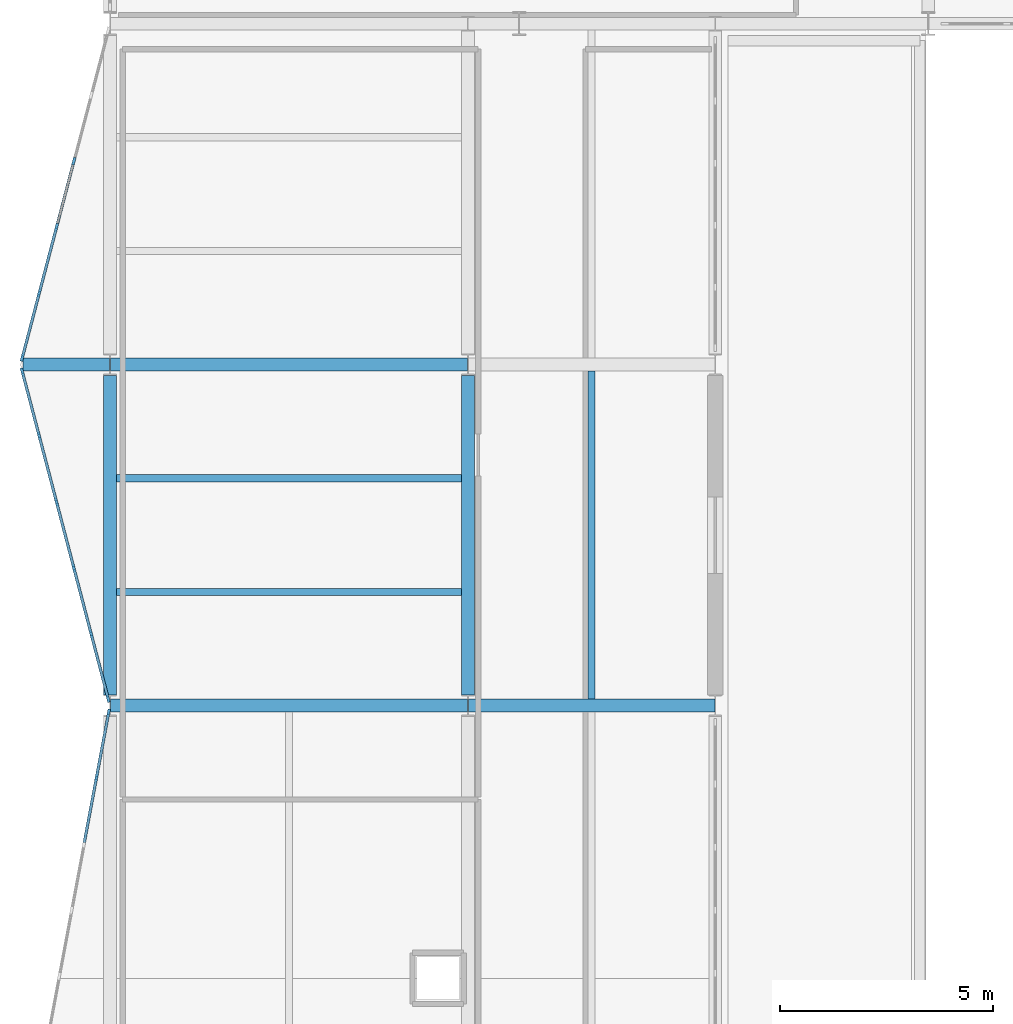
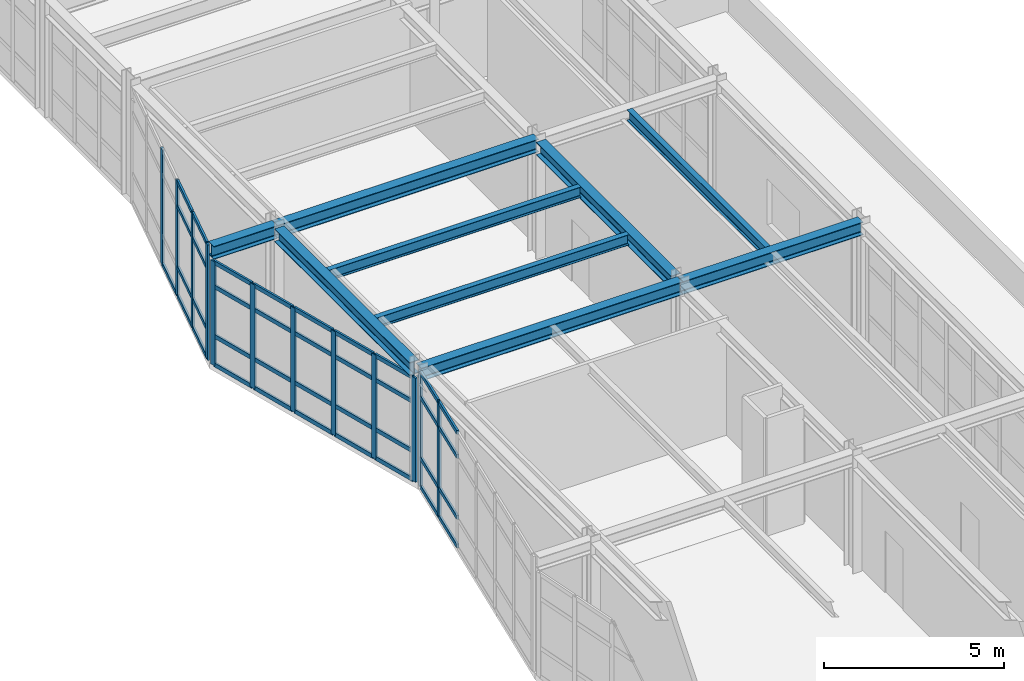
# One storey, part 20 of 64: 49 members, 9 beams, 3 elements without a shape of their own.
"""IFC4 building model written with IfcOpenShell, lengths in metres."""

from ifc_helpers import new_model, si_unit, direction, frame, origin, origin_2d, place, context, subcontext, project, spatial, rectangle, i_section, extrude, material, layer, layer_set, material_profile, profile_set, type_object, element, aggregate, save


model = new_model("IFC4")

# Units and contexts
model_context = context("Model", 3, precision=1e-05, world=origin(), true_north=direction((0.0, 1.0)))
body_context = subcontext(model_context, "Body", "Model", "MODEL_VIEW")
ifc_project = project(units=[si_unit("LENGTHUNIT", "METRE"), si_unit("AREAUNIT", "SQUARE_METRE"), si_unit("VOLUMEUNIT", "CUBIC_METRE"), si_unit("PLANEANGLEUNIT", "RADIAN"), si_unit("MASSUNIT", "GRAM", prefix="KILO")], contexts=[model_context])

# Site, building, storey
site_placement = place(None, origin())
site = spatial("IfcSite", under=ifc_project, at=site_placement, CompositionType="ELEMENT")
building_placement = place(site_placement, origin())
building = spatial("IfcBuilding", under=site, at=building_placement, Name="Nordkorset Police Headquarters", CompositionType="ELEMENT")
storey_placement = place(building_placement, frame((0.0, 0.0, 17.85009765625)))
storey = spatial("IfcBuildingStorey", under=building, at=storey_placement, Name="L04", CompositionType="ELEMENT", Elevation=17.85009765625)

# Beams
ifc_material_1 = material(Name="Steel S355J2", Category="steel")
ifc_material_profile_1 = material_profile(ifc_material_1, i_section(OverallWidth=0.169921875, OverallDepth=0.360107421875, WebThickness=0.008056640625, FlangeThickness=0.0126953125, FilletRadius=0.01806640625, at=origin_2d()), Name="IPE 360")
ifc_profile_set_1 = profile_set([ifc_material_profile_1], Name="Steel S355J2")
beam_type_1 = type_object("IfcBeamType", Name="Beam_IPE_360", PredefinedType="BEAM", material=ifc_profile_set_1)
for number, where, z_axis, x_axis, name in (
    (1, (0.14990234375, 69.86669921875, 3.809814453125), (1.0, 0.0, 0.0), (0.0, 1.0, 0.0), "Composite Floor Beam V3 L04 0-4-1"),
    (2, (0.14990234375, 72.533447265625, 3.809814453125), (1.0, 0.0, 0.0), (0.0, 1.0, 0.0), "Composite Floor Beam V3 L04 0-4-2"),
):
    element("IfcBeam", number, at=place(storey_placement, frame(where, z_axis=z_axis, x_axis=x_axis)), inside=storey, type_object=beam_type_1, Name=name, PredefinedType="BEAM", context=body_context, shape_type="SweptSolid", body=[
        extrude(i_section(OverallWidth=0.169921875, OverallDepth=0.360107421875, WebThickness=0.008056640625, FlangeThickness=0.0126953125, FilletRadius=0.01806640625, at=origin_2d()), origin(), (0.0, 0.0, 1.0), 8.10009765625),
    ])
beam_1_placement = place(storey_placement, frame((11.300048828125, 67.35009765625, 3.809814453125), z_axis=(0.0, 1.0, 0.0), x_axis=(-1.0, 0.0, 0.0)))
element("IfcBeam", 3, at=beam_1_placement, inside=storey, type_object=beam_type_1, Name="Composite Floor Beam V3 L04 1-4-1", PredefinedType="BEAM", context=body_context, shape_type="SweptSolid", body=[
    extrude(i_section(OverallWidth=0.169921875, OverallDepth=0.360107421875, WebThickness=0.008056640625, FlangeThickness=0.0126953125, FilletRadius=0.01806640625, at=origin_2d()), origin(), (0.0, 0.0, 1.0), 7.699951171875),
])

# Curtain wall, members
ifc_material_2 = material(Name="Aluminium alloy AW-6060", Category="aluminium")
ifc_layer_1 = layer(ifc_material_2, 0.179931640625, Name="Aluminium alloy AW-6060")
ifc_layer_set_1 = layer_set([ifc_layer_1], Name="Aluminium alloy AW-6060")
curtain_wall_type_1 = type_object("IfcCurtainWallType", Name="CW_Unit_949x392", PredefinedType="USERDEFINED", material=ifc_layer_set_1)
curtain_wall_1_placement = place(storey_placement, origin())
curtain_wall_1 = element("IfcCurtainWall", 4, at=curtain_wall_1_placement, inside=storey, type_object=curtain_wall_type_1, Name="Unitised Curtain Wall L04 V3W-3", ObjectType="UNITISED CURTAIN WALL", PredefinedType="USERDEFINED")
ifc_material_3 = material(Name="Aluminium alloy AW-6060", Category="aluminium")
ifc_material_profile_2 = material_profile(ifc_material_3, rectangle(XDim=0.06494140625, YDim=0.179931640625, at=origin_2d()), Name="ALU MULL 65x180")
ifc_profile_set_2 = profile_set([ifc_material_profile_2], Name="Aluminium alloy AW-6060")
member_type_1 = type_object("IfcMemberType", Name="CW_Mullion_65x180", PredefinedType="MULLION", material=ifc_profile_set_2)
member_1_placement = place(storey_placement, frame((-0.317138671875, 65.50830078125, 0.0), z_axis=(0.0, 0.0, 1.0), x_axis=(-0.982872186935, 0.184288535048, 0.0)))
member_1 = element("IfcMember", 5, at=member_1_placement, type_object=member_type_1, Name="CW-49 mullion 6", PredefinedType="MULLION", context=body_context, shape_type="SweptSolid", body=[
    extrude(rectangle(XDim=0.06494140625, YDim=0.179931640625, at=origin_2d()), origin(), (0.0, 0.0, 1.0), 3.919921875),
])
member_2_placement = place(storey_placement, frame((-0.03173828125, 67.030517578125, 0.0), z_axis=(0.0, 0.0, 1.0), x_axis=(-0.982872186935, 0.184288535048, 0.0)))
member_2 = element("IfcMember", 6, at=member_2_placement, type_object=member_type_1, Name="CW-49 mullion 7", PredefinedType="MULLION", context=body_context, shape_type="SweptSolid", body=[
    extrude(rectangle(XDim=0.06494140625, YDim=0.179931640625, at=origin_2d()), origin(), (0.0, 0.0, 1.0), 3.919921875),
])

ifc_material_4 = material(Name="Aluminium alloy AW-6060", Category="aluminium")
ifc_layer_2 = layer(ifc_material_4, 0.179931640625, Name="Aluminium alloy AW-6060")
ifc_layer_set_2 = layer_set([ifc_layer_2], Name="Aluminium alloy AW-6060")
curtain_wall_type_2 = type_object("IfcCurtainWallType", Name="CW_Unit_799x353", PredefinedType="USERDEFINED", material=ifc_layer_set_2)
curtain_wall_2_placement = place(storey_placement, origin())
curtain_wall_2 = element("IfcCurtainWall", 7, at=curtain_wall_2_placement, inside=storey, type_object=curtain_wall_type_2, Name="Unitised Curtain Wall L04 V3W-4", ObjectType="UNITISED CURTAIN WALL", PredefinedType="USERDEFINED")
member_3_placement = place(storey_placement, frame((-0.043701171875, 67.366943359375, 0.0), z_axis=(0.0, 0.0, 1.0), x_axis=(-0.967231265013, -0.25389698695, 0.0)))
member_3 = element("IfcMember", 8, at=member_3_placement, type_object=member_type_1, Name="CW-108 mullion 1", PredefinedType="MULLION", context=body_context, shape_type="SweptSolid", body=[
    extrude(rectangle(XDim=0.06494140625, YDim=0.179931640625, at=origin_2d()), origin(), (0.0, 0.0, 1.0), 3.52978515625),
])
member_4_placement = place(storey_placement, frame((-0.44140625, 68.88134765625, 0.0), z_axis=(0.0, 0.0, 1.0), x_axis=(-0.967231265013, -0.25389698695, 0.0)))
member_4 = element("IfcMember", 9, at=member_4_placement, type_object=member_type_1, Name="CW-108 mullion 2", PredefinedType="MULLION", context=body_context, shape_type="SweptSolid", body=[
    extrude(rectangle(XDim=0.06494140625, YDim=0.179931640625, at=origin_2d()), origin(), (0.0, 0.0, 1.0), 3.52978515625),
])
member_5_placement = place(storey_placement, frame((-0.84716796875, 70.427001953125, 0.0), z_axis=(0.0, 0.0, 1.0), x_axis=(-0.967231265013, -0.25389698695, 0.0)))
member_5 = element("IfcMember", 10, at=member_5_placement, type_object=member_type_1, Name="CW-108 mullion 3", PredefinedType="MULLION", context=body_context, shape_type="SweptSolid", body=[
    extrude(rectangle(XDim=0.06494140625, YDim=0.179931640625, at=origin_2d()), origin(), (0.0, 0.0, 1.0), 3.52978515625),
])
member_6_placement = place(storey_placement, frame((-1.2529296875, 71.972900390625, 0.0), z_axis=(0.0, 0.0, 1.0), x_axis=(-0.967231265013, -0.25389698695, 0.0)))
member_6 = element("IfcMember", 11, at=member_6_placement, type_object=member_type_1, Name="CW-108 mullion 4", PredefinedType="MULLION", context=body_context, shape_type="SweptSolid", body=[
    extrude(rectangle(XDim=0.06494140625, YDim=0.179931640625, at=origin_2d()), origin(), (0.0, 0.0, 1.0), 3.52978515625),
])
member_7_placement = place(storey_placement, frame((-1.65869140625, 73.518798828125, 0.0), z_axis=(0.0, 0.0, 1.0), x_axis=(-0.967231265013, -0.25389698695, 0.0)))
member_7 = element("IfcMember", 12, at=member_7_placement, type_object=member_type_1, Name="CW-108 mullion 5", PredefinedType="MULLION", context=body_context, shape_type="SweptSolid", body=[
    extrude(rectangle(XDim=0.06494140625, YDim=0.179931640625, at=origin_2d()), origin(), (0.0, 0.0, 1.0), 3.52978515625),
])
member_8_placement = place(storey_placement, frame((-2.05615234375, 75.033203125, 0.0), z_axis=(0.0, 0.0, 1.0), x_axis=(-0.967231265013, -0.25389698695, 0.0)))
member_8 = element("IfcMember", 13, at=member_8_placement, type_object=member_type_1, Name="CW-108 mullion 6", PredefinedType="MULLION", context=body_context, shape_type="SweptSolid", body=[
    extrude(rectangle(XDim=0.06494140625, YDim=0.179931640625, at=origin_2d()), origin(), (0.0, 0.0, 1.0), 3.52978515625),
])

ifc_material_5 = material(Name="Aluminium alloy AW-6060", Category="aluminium")
ifc_layer_3 = layer(ifc_material_5, 0.179931640625, Name="Aluminium alloy AW-6060")
ifc_layer_set_3 = layer_set([ifc_layer_3], Name="Aluminium alloy AW-6060")
curtain_wall_type_3 = type_object("IfcCurtainWallType", Name="CW_Unit_799x392", PredefinedType="USERDEFINED", material=ifc_layer_set_3)
curtain_wall_3_placement = place(storey_placement, origin())
curtain_wall_3 = element("IfcCurtainWall", 14, at=curtain_wall_3_placement, inside=storey, type_object=curtain_wall_type_3, Name="Unitised Curtain Wall L04 V3W-5", ObjectType="UNITISED CURTAIN WALL", PredefinedType="USERDEFINED")
member_9_placement = place(storey_placement, frame((-2.05615234375, 75.366943359375, 0.0), z_axis=(0.0, 0.0, 1.0), x_axis=(-0.967231265013, 0.25389698695, 0.0)))
member_9 = element("IfcMember", 15, at=member_9_placement, type_object=member_type_1, Name="CW-68 mullion 1", PredefinedType="MULLION", context=body_context, shape_type="SweptSolid", body=[
    extrude(rectangle(XDim=0.06494140625, YDim=0.179931640625, at=origin_2d()), origin(), (0.0, 0.0, 1.0), 3.919921875),
])
member_10_placement = place(storey_placement, frame((-1.65869140625, 76.88134765625, 0.0), z_axis=(0.0, 0.0, 1.0), x_axis=(-0.967231265013, 0.25389698695, 0.0)))
member_10 = element("IfcMember", 16, at=member_10_placement, type_object=member_type_1, Name="CW-68 mullion 2", PredefinedType="MULLION", context=body_context, shape_type="SweptSolid", body=[
    extrude(rectangle(XDim=0.06494140625, YDim=0.179931640625, at=origin_2d()), origin(), (0.0, 0.0, 1.0), 3.919921875),
])
member_11_placement = place(storey_placement, frame((-1.2529296875, 78.427001953125, 0.0), z_axis=(0.0, 0.0, 1.0), x_axis=(-0.967231265013, 0.25389698695, 0.0)))
member_11 = element("IfcMember", 17, at=member_11_placement, type_object=member_type_1, Name="CW-68 mullion 3", PredefinedType="MULLION", context=body_context, shape_type="SweptSolid", body=[
    extrude(rectangle(XDim=0.06494140625, YDim=0.179931640625, at=origin_2d()), origin(), (0.0, 0.0, 1.0), 3.919921875),
])
member_12_placement = place(storey_placement, frame((-0.84716796875, 79.972900390625, 0.0), z_axis=(0.0, 0.0, 1.0), x_axis=(-0.967231265013, 0.25389698695, 0.0)))
member_12 = element("IfcMember", 18, at=member_12_placement, type_object=member_type_1, Name="CW-68 mullion 4", PredefinedType="MULLION", context=body_context, shape_type="SweptSolid", body=[
    extrude(rectangle(XDim=0.06494140625, YDim=0.179931640625, at=origin_2d()), origin(), (0.0, 0.0, 1.0), 3.919921875),
])

# Member
ifc_material_6 = material(Name="Aluminium alloy AW-6060", Category="aluminium")
ifc_material_profile_3 = material_profile(ifc_material_6, rectangle(XDim=0.06494140625, YDim=0.139892578125, at=origin_2d()), Name="ALU TRAN 65x140")
ifc_profile_set_3 = profile_set([ifc_material_profile_3], Name="Aluminium alloy AW-6060")
member_type_2 = type_object("IfcMemberType", Name="CW_Transom_65x140", PredefinedType="USERDEFINED", material=ifc_profile_set_3)
member_13_placement = place(storey_placement, frame((-0.6025390625, 63.986083984375, 0.032470703125), z_axis=(0.184210757138, 0.982886767107, 0.0), x_axis=(-0.982886767107, 0.184210757138, 0.0)))
member_13 = element("IfcMember", 19, at=member_13_placement, type_object=member_type_2, Name="CW-49 transom 5.1", ObjectType="TRANSOM", PredefinedType="USERDEFINED", context=body_context, shape_type="SweptSolid", body=[
    extrude(rectangle(XDim=0.06494140625, YDim=0.139892578125, at=origin_2d()), origin(), (0.0, 0.0, 1.0), 1.51611328125),
])

member_14_placement = place(storey_placement, frame((-0.6025390625, 63.986083984375, 1.0), z_axis=(0.184210757138, 0.982886767107, 0.0), x_axis=(-0.982886767107, 0.184210757138, 0.0)))
member_14 = element("IfcMember", 20, at=member_14_placement, type_object=member_type_2, Name="CW-49 transom 5.2", ObjectType="TRANSOM", PredefinedType="USERDEFINED", context=body_context, shape_type="SweptSolid", body=[
    extrude(rectangle(XDim=0.06494140625, YDim=0.139892578125, at=origin_2d()), origin(), (0.0, 0.0, 1.0), 1.51611328125),
])

member_15_placement = place(storey_placement, frame((-0.6025390625, 63.986083984375, 3.06982421875), z_axis=(0.184210757138, 0.982886767107, 0.0), x_axis=(-0.982886767107, 0.184210757138, 0.0)))
member_15 = element("IfcMember", 21, at=member_15_placement, type_object=member_type_2, Name="CW-49 transom 5.3", ObjectType="TRANSOM", PredefinedType="USERDEFINED", context=body_context, shape_type="SweptSolid", body=[
    extrude(rectangle(XDim=0.06494140625, YDim=0.139892578125, at=origin_2d()), origin(), (0.0, 0.0, 1.0), 1.51611328125),
])

member_16_placement = place(storey_placement, frame((-0.6025390625, 63.986083984375, 3.887451171875), z_axis=(0.184210757138, 0.982886767107, 0.0), x_axis=(-0.982886767107, 0.184210757138, 0.0)))
member_16 = element("IfcMember", 22, at=member_16_placement, type_object=member_type_2, Name="CW-49 transom 5.4", ObjectType="TRANSOM", PredefinedType="USERDEFINED", context=body_context, shape_type="SweptSolid", body=[
    extrude(rectangle(XDim=0.06494140625, YDim=0.139892578125, at=origin_2d()), origin(), (0.0, 0.0, 1.0), 1.51611328125),
])

member_17_placement = place(storey_placement, frame((-0.311279296875, 65.540283203125, 0.032470703125), z_axis=(0.184298470268, 0.982870324029, 0.0), x_axis=(-0.982870324029, 0.184298470268, 0.0)))
member_17 = element("IfcMember", 23, at=member_17_placement, type_object=member_type_2, Name="CW-49 transom 6.1", ObjectType="TRANSOM", PredefinedType="USERDEFINED", context=body_context, shape_type="SweptSolid", body=[
    extrude(rectangle(XDim=0.06494140625, YDim=0.139892578125, at=origin_2d()), origin(), (0.0, 0.0, 1.0), 1.483642578125),
])

member_18_placement = place(storey_placement, frame((-0.311279296875, 65.540283203125, 1.0), z_axis=(0.184298470268, 0.982870324029, 0.0), x_axis=(-0.982870324029, 0.184298470268, 0.0)))
member_18 = element("IfcMember", 24, at=member_18_placement, type_object=member_type_2, Name="CW-49 transom 6.2", ObjectType="TRANSOM", PredefinedType="USERDEFINED", context=body_context, shape_type="SweptSolid", body=[
    extrude(rectangle(XDim=0.06494140625, YDim=0.139892578125, at=origin_2d()), origin(), (0.0, 0.0, 1.0), 1.483642578125),
])

member_19_placement = place(storey_placement, frame((-0.311279296875, 65.540283203125, 3.06982421875), z_axis=(0.184298470268, 0.982870324029, 0.0), x_axis=(-0.982870324029, 0.184298470268, 0.0)))
member_19 = element("IfcMember", 25, at=member_19_placement, type_object=member_type_2, Name="CW-49 transom 6.3", ObjectType="TRANSOM", PredefinedType="USERDEFINED", context=body_context, shape_type="SweptSolid", body=[
    extrude(rectangle(XDim=0.06494140625, YDim=0.139892578125, at=origin_2d()), origin(), (0.0, 0.0, 1.0), 1.483642578125),
])

member_20_placement = place(storey_placement, frame((-0.311279296875, 65.540283203125, 3.887451171875), z_axis=(0.184298470268, 0.982870324029, 0.0), x_axis=(-0.982870324029, 0.184298470268, 0.0)))
member_20 = element("IfcMember", 26, at=member_20_placement, type_object=member_type_2, Name="CW-49 transom 6.4", ObjectType="TRANSOM", PredefinedType="USERDEFINED", context=body_context, shape_type="SweptSolid", body=[
    extrude(rectangle(XDim=0.06494140625, YDim=0.139892578125, at=origin_2d()), origin(), (0.0, 0.0, 1.0), 1.483642578125),
])

aggregate(curtain_wall_1, [member_1, member_2, member_13, member_14, member_15, member_16, member_17, member_18, member_19, member_20])

member_21_placement = place(storey_placement, frame((-0.052001953125, 67.398193359375, 0.032470703125), z_axis=(-0.253924760119, 0.967223974164, 0.0), x_axis=(-0.967223974164, -0.253924760119, 0.0)))
member_21 = element("IfcMember", 27, at=member_21_placement, type_object=member_type_2, Name="CW-108 transom 1.1", ObjectType="TRANSOM", PredefinedType="USERDEFINED", context=body_context, shape_type="SweptSolid", body=[
    extrude(rectangle(XDim=0.06494140625, YDim=0.139892578125, at=origin_2d()), origin(), (0.0, 0.0, 1.0), 1.500732421875),
])

member_22_placement = place(storey_placement, frame((-0.052001953125, 67.398193359375, 1.0), z_axis=(-0.253924760119, 0.967223974164, 0.0), x_axis=(-0.967223974164, -0.253924760119, 0.0)))
member_22 = element("IfcMember", 28, at=member_22_placement, type_object=member_type_2, Name="CW-108 transom 1.2", ObjectType="TRANSOM", PredefinedType="USERDEFINED", context=body_context, shape_type="SweptSolid", body=[
    extrude(rectangle(XDim=0.06494140625, YDim=0.139892578125, at=origin_2d()), origin(), (0.0, 0.0, 1.0), 1.500732421875),
])

member_23_placement = place(storey_placement, frame((-0.052001953125, 67.398193359375, 2.679931640625), z_axis=(-0.253924760119, 0.967223974164, 0.0), x_axis=(-0.967223974164, -0.253924760119, 0.0)))
member_23 = element("IfcMember", 29, at=member_23_placement, type_object=member_type_2, Name="CW-108 transom 1.3", ObjectType="TRANSOM", PredefinedType="USERDEFINED", context=body_context, shape_type="SweptSolid", body=[
    extrude(rectangle(XDim=0.06494140625, YDim=0.139892578125, at=origin_2d()), origin(), (0.0, 0.0, 1.0), 1.500732421875),
])

member_24_placement = place(storey_placement, frame((-0.052001953125, 67.398193359375, 3.497314453125), z_axis=(-0.253924760119, 0.967223974164, 0.0), x_axis=(-0.967223974164, -0.253924760119, 0.0)))
member_24 = element("IfcMember", 30, at=member_24_placement, type_object=member_type_2, Name="CW-108 transom 1.4", ObjectType="TRANSOM", PredefinedType="USERDEFINED", context=body_context, shape_type="SweptSolid", body=[
    extrude(rectangle(XDim=0.06494140625, YDim=0.139892578125, at=origin_2d()), origin(), (0.0, 0.0, 1.0), 1.500732421875),
])

member_25_placement = place(storey_placement, frame((-0.449462890625, 68.91259765625, 0.032470703125), z_axis=(-0.253944674811, 0.967218745753, 0.0), x_axis=(-0.967218745753, -0.253944674811, 0.0)))
member_25 = element("IfcMember", 31, at=member_25_placement, type_object=member_type_2, Name="CW-108 transom 2.1", ObjectType="TRANSOM", PredefinedType="USERDEFINED", context=body_context, shape_type="SweptSolid", body=[
    extrude(rectangle(XDim=0.06494140625, YDim=0.139892578125, at=origin_2d()), origin(), (0.0, 0.0, 1.0), 1.533447265625),
])

member_26_placement = place(storey_placement, frame((-0.449462890625, 68.91259765625, 1.0), z_axis=(-0.253944674811, 0.967218745753, 0.0), x_axis=(-0.967218745753, -0.253944674811, 0.0)))
member_26 = element("IfcMember", 32, at=member_26_placement, type_object=member_type_2, Name="CW-108 transom 2.2", ObjectType="TRANSOM", PredefinedType="USERDEFINED", context=body_context, shape_type="SweptSolid", body=[
    extrude(rectangle(XDim=0.06494140625, YDim=0.139892578125, at=origin_2d()), origin(), (0.0, 0.0, 1.0), 1.533447265625),
])

member_27_placement = place(storey_placement, frame((-0.449462890625, 68.91259765625, 2.679931640625), z_axis=(-0.253944674811, 0.967218745753, 0.0), x_axis=(-0.967218745753, -0.253944674811, 0.0)))
member_27 = element("IfcMember", 33, at=member_27_placement, type_object=member_type_2, Name="CW-108 transom 2.3", ObjectType="TRANSOM", PredefinedType="USERDEFINED", context=body_context, shape_type="SweptSolid", body=[
    extrude(rectangle(XDim=0.06494140625, YDim=0.139892578125, at=origin_2d()), origin(), (0.0, 0.0, 1.0), 1.533447265625),
])

member_28_placement = place(storey_placement, frame((-0.449462890625, 68.91259765625, 3.497314453125), z_axis=(-0.253944674811, 0.967218745753, 0.0), x_axis=(-0.967218745753, -0.253944674811, 0.0)))
member_28 = element("IfcMember", 34, at=member_28_placement, type_object=member_type_2, Name="CW-108 transom 2.4", ObjectType="TRANSOM", PredefinedType="USERDEFINED", context=body_context, shape_type="SweptSolid", body=[
    extrude(rectangle(XDim=0.06494140625, YDim=0.139892578125, at=origin_2d()), origin(), (0.0, 0.0, 1.0), 1.533447265625),
])

member_29_placement = place(storey_placement, frame((-0.85546875, 70.45849609375, 0.032470703125), z_axis=(-0.253834812056, 0.967247583708, 0.0), x_axis=(-0.967247583708, -0.253834812056, 0.0)))
member_29 = element("IfcMember", 35, at=member_29_placement, type_object=member_type_2, Name="CW-108 transom 3.1", ObjectType="TRANSOM", PredefinedType="USERDEFINED", context=body_context, shape_type="SweptSolid", body=[
    extrude(rectangle(XDim=0.06494140625, YDim=0.139892578125, at=origin_2d()), origin(), (0.0, 0.0, 1.0), 1.533203125),
])

member_30_placement = place(storey_placement, frame((-0.85546875, 70.45849609375, 1.0), z_axis=(-0.253834812056, 0.967247583708, 0.0), x_axis=(-0.967247583708, -0.253834812056, 0.0)))
member_30 = element("IfcMember", 36, at=member_30_placement, type_object=member_type_2, Name="CW-108 transom 3.2", ObjectType="TRANSOM", PredefinedType="USERDEFINED", context=body_context, shape_type="SweptSolid", body=[
    extrude(rectangle(XDim=0.06494140625, YDim=0.139892578125, at=origin_2d()), origin(), (0.0, 0.0, 1.0), 1.533203125),
])

member_31_placement = place(storey_placement, frame((-0.85546875, 70.45849609375, 2.679931640625), z_axis=(-0.253834812056, 0.967247583708, 0.0), x_axis=(-0.967247583708, -0.253834812056, 0.0)))
member_31 = element("IfcMember", 37, at=member_31_placement, type_object=member_type_2, Name="CW-108 transom 3.3", ObjectType="TRANSOM", PredefinedType="USERDEFINED", context=body_context, shape_type="SweptSolid", body=[
    extrude(rectangle(XDim=0.06494140625, YDim=0.139892578125, at=origin_2d()), origin(), (0.0, 0.0, 1.0), 1.533203125),
])

member_32_placement = place(storey_placement, frame((-0.85546875, 70.45849609375, 3.497314453125), z_axis=(-0.253834812056, 0.967247583708, 0.0), x_axis=(-0.967247583708, -0.253834812056, 0.0)))
member_32 = element("IfcMember", 38, at=member_32_placement, type_object=member_type_2, Name="CW-108 transom 3.4", ObjectType="TRANSOM", PredefinedType="USERDEFINED", context=body_context, shape_type="SweptSolid", body=[
    extrude(rectangle(XDim=0.06494140625, YDim=0.139892578125, at=origin_2d()), origin(), (0.0, 0.0, 1.0), 1.533203125),
])

member_33_placement = place(storey_placement, frame((-1.26123046875, 72.00439453125, 0.032470703125), z_axis=(-0.253834812056, 0.967247583708, 0.0), x_axis=(-0.967247583708, -0.253834812056, 0.0)))
member_33 = element("IfcMember", 39, at=member_33_placement, type_object=member_type_2, Name="CW-108 transom 4.1", ObjectType="TRANSOM", PredefinedType="USERDEFINED", context=body_context, shape_type="SweptSolid", body=[
    extrude(rectangle(XDim=0.06494140625, YDim=0.139892578125, at=origin_2d()), origin(), (0.0, 0.0, 1.0), 1.533203125),
])

member_34_placement = place(storey_placement, frame((-1.26123046875, 72.00439453125, 1.0), z_axis=(-0.253834812056, 0.967247583708, 0.0), x_axis=(-0.967247583708, -0.253834812056, 0.0)))
member_34 = element("IfcMember", 40, at=member_34_placement, type_object=member_type_2, Name="CW-108 transom 4.2", ObjectType="TRANSOM", PredefinedType="USERDEFINED", context=body_context, shape_type="SweptSolid", body=[
    extrude(rectangle(XDim=0.06494140625, YDim=0.139892578125, at=origin_2d()), origin(), (0.0, 0.0, 1.0), 1.533203125),
])

member_35_placement = place(storey_placement, frame((-1.26123046875, 72.00439453125, 2.679931640625), z_axis=(-0.253834812056, 0.967247583708, 0.0), x_axis=(-0.967247583708, -0.253834812056, 0.0)))
member_35 = element("IfcMember", 41, at=member_35_placement, type_object=member_type_2, Name="CW-108 transom 4.3", ObjectType="TRANSOM", PredefinedType="USERDEFINED", context=body_context, shape_type="SweptSolid", body=[
    extrude(rectangle(XDim=0.06494140625, YDim=0.139892578125, at=origin_2d()), origin(), (0.0, 0.0, 1.0), 1.533203125),
])

member_36_placement = place(storey_placement, frame((-1.26123046875, 72.00439453125, 3.497314453125), z_axis=(-0.253834812056, 0.967247583708, 0.0), x_axis=(-0.967247583708, -0.253834812056, 0.0)))
member_36 = element("IfcMember", 42, at=member_36_placement, type_object=member_type_2, Name="CW-108 transom 4.4", ObjectType="TRANSOM", PredefinedType="USERDEFINED", context=body_context, shape_type="SweptSolid", body=[
    extrude(rectangle(XDim=0.06494140625, YDim=0.139892578125, at=origin_2d()), origin(), (0.0, 0.0, 1.0), 1.533203125),
])

member_37_placement = place(storey_placement, frame((-1.6669921875, 73.55029296875, 0.032470703125), z_axis=(-0.253812508184, 0.967253436639, 0.0), x_axis=(-0.967253436639, -0.253812508184, 0.0)))
member_37 = element("IfcMember", 43, at=member_37_placement, type_object=member_type_2, Name="CW-108 transom 5.1", ObjectType="TRANSOM", PredefinedType="USERDEFINED", context=body_context, shape_type="SweptSolid", body=[
    extrude(rectangle(XDim=0.06494140625, YDim=0.139892578125, at=origin_2d()), origin(), (0.0, 0.0, 1.0), 1.50048828125),
])

member_38_placement = place(storey_placement, frame((-1.6669921875, 73.55029296875, 1.0), z_axis=(-0.253812508184, 0.967253436639, 0.0), x_axis=(-0.967253436639, -0.253812508184, 0.0)))
member_38 = element("IfcMember", 44, at=member_38_placement, type_object=member_type_2, Name="CW-108 transom 5.2", ObjectType="TRANSOM", PredefinedType="USERDEFINED", context=body_context, shape_type="SweptSolid", body=[
    extrude(rectangle(XDim=0.06494140625, YDim=0.139892578125, at=origin_2d()), origin(), (0.0, 0.0, 1.0), 1.50048828125),
])

member_39_placement = place(storey_placement, frame((-1.6669921875, 73.55029296875, 2.679931640625), z_axis=(-0.253812508184, 0.967253436639, 0.0), x_axis=(-0.967253436639, -0.253812508184, 0.0)))
member_39 = element("IfcMember", 45, at=member_39_placement, type_object=member_type_2, Name="CW-108 transom 5.3", ObjectType="TRANSOM", PredefinedType="USERDEFINED", context=body_context, shape_type="SweptSolid", body=[
    extrude(rectangle(XDim=0.06494140625, YDim=0.139892578125, at=origin_2d()), origin(), (0.0, 0.0, 1.0), 1.50048828125),
])

member_40_placement = place(storey_placement, frame((-1.6669921875, 73.55029296875, 3.497314453125), z_axis=(-0.253812508184, 0.967253436639, 0.0), x_axis=(-0.967253436639, -0.253812508184, 0.0)))
member_40 = element("IfcMember", 46, at=member_40_placement, type_object=member_type_2, Name="CW-108 transom 5.4", ObjectType="TRANSOM", PredefinedType="USERDEFINED", context=body_context, shape_type="SweptSolid", body=[
    extrude(rectangle(XDim=0.06494140625, YDim=0.139892578125, at=origin_2d()), origin(), (0.0, 0.0, 1.0), 1.50048828125),
])

aggregate(curtain_wall_2, [member_3, member_4, member_5, member_6, member_7, member_8, member_21, member_22, member_23, member_24, member_25, member_26, member_27, member_28, member_29, member_30, member_31, member_32, member_33, member_34, member_35, member_36, member_37, member_38, member_39, member_40])

member_41_placement = place(storey_placement, frame((-2.0478515625, 75.398193359375, 0.032470703125), z_axis=(0.253772571157, 0.967263915448, 0.0), x_axis=(-0.967263915448, 0.253772571157, 0.0)))
member_41 = element("IfcMember", 47, at=member_41_placement, type_object=member_type_2, Name="CW-68 transom 1.1", ObjectType="TRANSOM", PredefinedType="USERDEFINED", context=body_context, shape_type="SweptSolid", body=[
    extrude(rectangle(XDim=0.06494140625, YDim=0.139892578125, at=origin_2d()), origin(), (0.0, 0.0, 1.0), 1.500732421875),
])

member_42_placement = place(storey_placement, frame((-2.0478515625, 75.398193359375, 1.0), z_axis=(0.253772571157, 0.967263915448, 0.0), x_axis=(-0.967263915448, 0.253772571157, 0.0)))
member_42 = element("IfcMember", 48, at=member_42_placement, type_object=member_type_2, Name="CW-68 transom 1.2", ObjectType="TRANSOM", PredefinedType="USERDEFINED", context=body_context, shape_type="SweptSolid", body=[
    extrude(rectangle(XDim=0.06494140625, YDim=0.139892578125, at=origin_2d()), origin(), (0.0, 0.0, 1.0), 1.500732421875),
])

member_43_placement = place(storey_placement, frame((-2.0478515625, 75.398193359375, 3.06982421875), z_axis=(0.253772571157, 0.967263915448, 0.0), x_axis=(-0.967263915448, 0.253772571157, 0.0)))
member_43 = element("IfcMember", 49, at=member_43_placement, type_object=member_type_2, Name="CW-68 transom 1.3", ObjectType="TRANSOM", PredefinedType="USERDEFINED", context=body_context, shape_type="SweptSolid", body=[
    extrude(rectangle(XDim=0.06494140625, YDim=0.139892578125, at=origin_2d()), origin(), (0.0, 0.0, 1.0), 1.500732421875),
])

member_44_placement = place(storey_placement, frame((-2.0478515625, 75.398193359375, 3.887451171875), z_axis=(0.253772571157, 0.967263915448, 0.0), x_axis=(-0.967263915448, 0.253772571157, 0.0)))
member_44 = element("IfcMember", 50, at=member_44_placement, type_object=member_type_2, Name="CW-68 transom 1.4", ObjectType="TRANSOM", PredefinedType="USERDEFINED", context=body_context, shape_type="SweptSolid", body=[
    extrude(rectangle(XDim=0.06494140625, YDim=0.139892578125, at=origin_2d()), origin(), (0.0, 0.0, 1.0), 1.500732421875),
])

member_45_placement = place(storey_placement, frame((-1.650390625, 76.91259765625, 0.032470703125), z_axis=(0.253795720126, 0.96725784176, 0.0), x_axis=(-0.96725784176, 0.253795720126, 0.0)))
member_45 = element("IfcMember", 51, at=member_45_placement, type_object=member_type_2, Name="CW-68 transom 2.1", ObjectType="TRANSOM", PredefinedType="USERDEFINED", context=body_context, shape_type="SweptSolid", body=[
    extrude(rectangle(XDim=0.06494140625, YDim=0.139892578125, at=origin_2d()), origin(), (0.0, 0.0, 1.0), 1.533447265625),
])

member_46_placement = place(storey_placement, frame((-1.650390625, 76.91259765625, 1.0), z_axis=(0.253795720126, 0.96725784176, 0.0), x_axis=(-0.96725784176, 0.253795720126, 0.0)))
member_46 = element("IfcMember", 52, at=member_46_placement, type_object=member_type_2, Name="CW-68 transom 2.2", ObjectType="TRANSOM", PredefinedType="USERDEFINED", context=body_context, shape_type="SweptSolid", body=[
    extrude(rectangle(XDim=0.06494140625, YDim=0.139892578125, at=origin_2d()), origin(), (0.0, 0.0, 1.0), 1.533447265625),
])

member_47_placement = place(storey_placement, frame((-1.650390625, 76.91259765625, 3.06982421875), z_axis=(0.253795720126, 0.96725784176, 0.0), x_axis=(-0.96725784176, 0.253795720126, 0.0)))
member_47 = element("IfcMember", 53, at=member_47_placement, type_object=member_type_2, Name="CW-68 transom 2.3", ObjectType="TRANSOM", PredefinedType="USERDEFINED", context=body_context, shape_type="SweptSolid", body=[
    extrude(rectangle(XDim=0.06494140625, YDim=0.139892578125, at=origin_2d()), origin(), (0.0, 0.0, 1.0), 1.533447265625),
])

member_48_placement = place(storey_placement, frame((-1.650390625, 76.91259765625, 3.887451171875), z_axis=(0.253795720126, 0.96725784176, 0.0), x_axis=(-0.96725784176, 0.253795720126, 0.0)))
member_48 = element("IfcMember", 54, at=member_48_placement, type_object=member_type_2, Name="CW-68 transom 2.4", ObjectType="TRANSOM", PredefinedType="USERDEFINED", context=body_context, shape_type="SweptSolid", body=[
    extrude(rectangle(XDim=0.06494140625, YDim=0.139892578125, at=origin_2d()), origin(), (0.0, 0.0, 1.0), 1.533447265625),
])

member_49_placement = place(storey_placement, frame((-1.24462890625, 78.45849609375, 0.032470703125), z_axis=(0.253834812056, 0.967247583708, 0.0), x_axis=(-0.967247583708, 0.253834812056, 0.0)))
member_49 = element("IfcMember", 55, at=member_49_placement, type_object=member_type_2, Name="CW-68 transom 3.1", ObjectType="TRANSOM", PredefinedType="USERDEFINED", context=body_context, shape_type="SweptSolid", body=[
    extrude(rectangle(XDim=0.06494140625, YDim=0.139892578125, at=origin_2d()), origin(), (0.0, 0.0, 1.0), 1.533203125),
])

aggregate(curtain_wall_3, [member_9, member_10, member_11, member_12, member_41, member_42, member_43, member_44, member_45, member_46, member_47, member_48, member_49])

# Beams
ifc_material_7 = material(Name="Steel S355J2", Category="steel")
ifc_material_profile_4 = material_profile(ifc_material_7, i_section(OverallWidth=0.300048828125, OverallDepth=0.43994140625, WebThickness=0.011474609375, FlangeThickness=0.02099609375, FilletRadius=0.027099609375, at=origin_2d()), Name="HEA 450")
ifc_profile_set_4 = profile_set([ifc_material_profile_4], Name="Steel S355J2")
beam_type_2 = type_object("IfcBeamType", Name="Girder_HEA_450", PredefinedType="USERDEFINED", material=ifc_profile_set_4)
beam_2_placement = place(storey_placement, frame((0.00732421875, 67.199951171875, 3.77001953125), z_axis=(1.0, 0.0, 0.0), x_axis=(0.0, 1.0, 0.0)))
element("IfcBeam", 56, at=beam_2_placement, inside=storey, type_object=beam_type_2, Name="Girder V3 L04 GX-4-0", ObjectType="GIRDER", PredefinedType="USERDEFINED", context=body_context, shape_type="SweptSolid", body=[
    extrude(i_section(OverallWidth=0.300048828125, OverallDepth=0.43994140625, WebThickness=0.011474609375, FlangeThickness=0.02099609375, FilletRadius=0.027099609375, at=origin_2d()), origin(), (0.0, 0.0, 1.0), 8.38525390625),
])
beam_3_placement = place(storey_placement, frame((8.4072265625, 67.199951171875, 3.77001953125), z_axis=(1.0, 0.0, 0.0), x_axis=(0.0, 1.0, 0.0)))
element("IfcBeam", 57, at=beam_3_placement, inside=storey, type_object=beam_type_2, Name="Girder V3 L04 GX-4-1", ObjectType="GIRDER", PredefinedType="USERDEFINED", context=body_context, shape_type="SweptSolid", body=[
    extrude(i_section(OverallWidth=0.300048828125, OverallDepth=0.43994140625, WebThickness=0.011474609375, FlangeThickness=0.02099609375, FilletRadius=0.027099609375, at=origin_2d()), origin(), (0.0, 0.0, 1.0), 5.785400390625),
])
beam_4_placement = place(storey_placement, frame((0.00732421875, 75.199951171875, 3.764892578125), z_axis=(1.0, 0.0, 0.0), x_axis=(0.0, 1.0, 0.0)))
element("IfcBeam", 58, at=beam_4_placement, inside=storey, type_object=beam_type_2, Name="Girder V3 L04 GX-5-0", ObjectType="GIRDER", PredefinedType="USERDEFINED", context=body_context, shape_type="SweptSolid", body=[
    extrude(i_section(OverallWidth=0.300048828125, OverallDepth=0.43994140625, WebThickness=0.011474609375, FlangeThickness=0.02099609375, FilletRadius=0.027099609375, at=origin_2d()), origin(), (0.0, 0.0, 1.0), 8.38525390625),
])
for number, where, z_axis, x_axis, name in (
    (59, (0.0, 67.449951171875, 3.77001953125), (0.0, 1.0, 0.0), (-1.0, 0.0, 0.0), "Girder V3 L04 GY-0-4"),
    (60, (8.39990234375, 67.449951171875, 3.77001953125), (0.0, 1.0, 0.0), (-1.0, 0.0, 0.0), "Girder V3 L04 GY-1-4"),
):
    element("IfcBeam", number, at=place(storey_placement, frame(where, z_axis=z_axis, x_axis=x_axis)), inside=storey, type_object=beam_type_2, Name=name, ObjectType="GIRDER", PredefinedType="USERDEFINED", context=body_context, shape_type="SweptSolid", body=[
        extrude(i_section(OverallWidth=0.300048828125, OverallDepth=0.43994140625, WebThickness=0.011474609375, FlangeThickness=0.02099609375, FilletRadius=0.027099609375, at=origin_2d()), origin(), (0.0, 0.0, 1.0), 7.5),
    ])
beam_5_placement = place(storey_placement, frame((-0.00732421875, 75.199951171875, 3.764892578125), z_axis=(-1.0, 0.0, 0.0), x_axis=(0.0, -1.0, 0.0)))
element("IfcBeam", 61, at=beam_5_placement, inside=storey, type_object=beam_type_2, Name="Sawtooth Facade Outrigger V3 L04 75", ObjectType="GIRDER", PredefinedType="USERDEFINED", context=body_context, shape_type="SweptSolid", body=[
    extrude(i_section(OverallWidth=0.300048828125, OverallDepth=0.43994140625, WebThickness=0.011474609375, FlangeThickness=0.02099609375, FilletRadius=0.027099609375, at=origin_2d()), origin(), (0.0, 0.0, 1.0), 2.03271484375),
])

save(model, "model.ifc")
